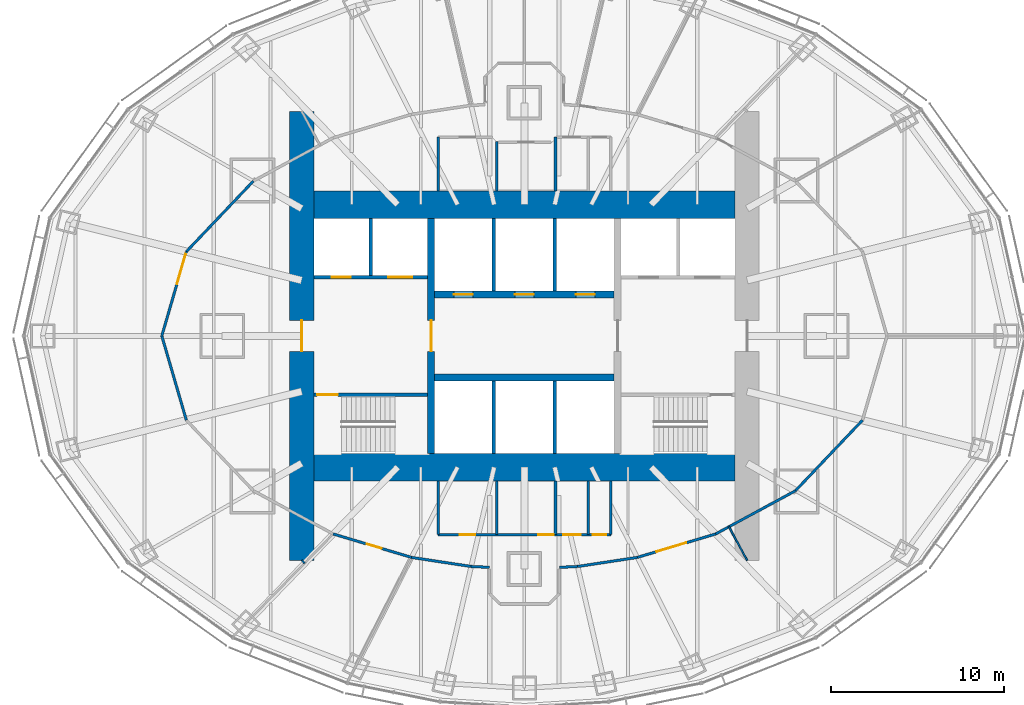
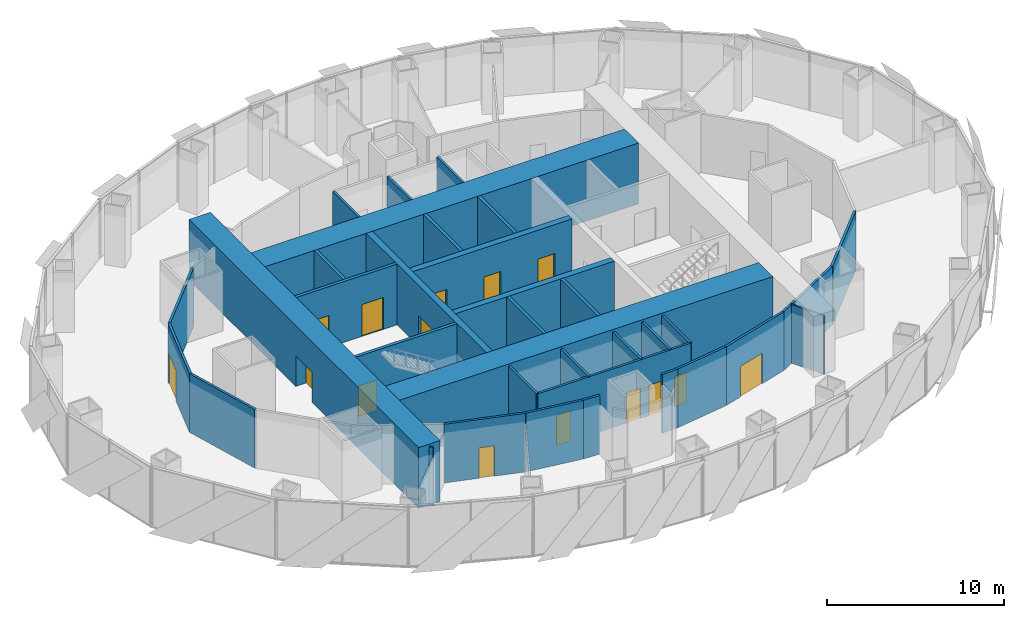
# One storey, part 11 of 18: 35 walls, 15 doors, 15 openings.
"""IFC4 building model written with IfcOpenShell, lengths in metres."""

from ifc_helpers import new_model, si_unit, direction, frame, frame_2d, origin, place, context, subcontext, project, spatial, rectangle, extrude, material, layer, layer_set, type_object, element, fill, save


model = new_model("IFC4")

# Units and contexts
model_context = context("Model", 3, precision=1e-05, world=origin(), true_north=direction((0.0, 1.0)))
body_context = subcontext(model_context, "Body", "Model", "MODEL_VIEW")
ifc_project = project(units=[si_unit("LENGTHUNIT", "METRE"), si_unit("AREAUNIT", "SQUARE_METRE"), si_unit("VOLUMEUNIT", "CUBIC_METRE"), si_unit("PLANEANGLEUNIT", "RADIAN"), si_unit("MASSUNIT", "GRAM", prefix="KILO")], contexts=[model_context])

# Site, building, storey
site_placement = place(None, origin())
site = spatial("IfcSite", under=ifc_project, at=site_placement, CompositionType="ELEMENT")
building_placement = place(site_placement, origin())
building = spatial("IfcBuilding", under=site, at=building_placement, Name="Lantaw Convention Tower", CompositionType="ELEMENT")
storey_placement = place(building_placement, frame((0.0, 0.0, 184.60009765625)))
storey = spatial("IfcBuildingStorey", under=building, at=storey_placement, Name="L43", CompositionType="ELEMENT", Elevation=184.60009765625)

# Wall, opening, door
ifc_material_1 = material(Name="Concrete C60/75", Category="concrete")
ifc_layer_1 = layer(ifc_material_1, 1.39990234375)
ifc_layer_set_1 = layer_set([ifc_layer_1], Name="Core wall 1400")
wall_type_1 = type_object("IfcWallType", Name="Core wall 1400", PredefinedType="SHEAR", material=ifc_layer_set_1)
wall_1_placement = place(storey_placement, frame((-12.89990234375, 13.0, 0.0), z_axis=(0.0, 0.0, 1.0), x_axis=(0.0, -1.0, 0.0)))
wall_1 = element("IfcWall", 1, at=wall_1_placement, inside=storey, type_object=wall_type_1, Name="Core wall W", PredefinedType="SHEAR", context=body_context, shape_type="SweptSolid", body=[
    extrude(rectangle(XDim=26.0, YDim=1.39990234375, at=frame_2d((13.0, 0.0))), origin(), (0.0, 0.0, 1.0), 4.199951171875),
])
opening_1_placement = place(wall_1_placement, frame((12.10009765625, 0.0, 0.0)))
opening_1 = element("IfcOpeningElement", 2, at=opening_1_placement, cuts=wall_1, Name="Opening L43.06", PredefinedType="OPENING", context=body_context, shape_type="SweptSolid", body=[
    extrude(rectangle(XDim=1.800048828125, YDim=2.10009765625, at=frame_2d((0.89990234375, 1.050048828125))), frame((0.0, 0.7099609375, 0.0), z_axis=(0.0, -1.0, 0.0), x_axis=(1.0, 0.0, 0.0)), (0.0, 0.0, 1.0), 1.419921875),
])
ifc_material_2 = material(Name="Steel, fire rated", Category="steel")
door_type_1 = type_object("IfcDoorType", Name="Lobby double door FD90", OperationType="DOUBLE_DOOR_DOUBLE_SWING", PredefinedType="DOOR", material=ifc_material_2)
door_1_placement = place(opening_1_placement, origin())
door_1 = element("IfcDoor", 3, at=door_1_placement, inside=storey, type_object=door_type_1, Name="Firefighting lobby door", OperationType="DOUBLE_DOOR_DOUBLE_SWING", OverallHeight=2.10009765625, OverallWidth=1.800048828125, PredefinedType="DOOR", context=body_context, shape_type="SweptSolid", body=[
    extrude(rectangle(XDim=1.800048828125, YDim=2.10009765625, at=frame_2d((0.89990234375, 1.050048828125))), frame((0.0, 0.02490234375, 0.0), z_axis=(0.0, -1.0, 0.0), x_axis=(1.0, 0.0, 0.0)), (0.0, 0.0, 1.0), 0.050048828125),
])
fill(opening_1, door_1)

# Walls
ifc_layer_2 = layer(ifc_material_1, 1.60009765625)
ifc_layer_set_2 = layer_set([ifc_layer_2], Name="Core wall 1600")
wall_type_2 = type_object("IfcWallType", Name="Core wall 1600", PredefinedType="SHEAR", material=ifc_layer_set_2)
for number, where, z_axis, x_axis, name in (
    (4, (-12.199951171875, -7.60009765625, 0.0), (0.0, 0.0, 1.0), (1.0, 0.0, 0.0), "Core wall S"),
    (5, (12.199951171875, 7.60009765625, 0.0), (0.0, 0.0, 1.0), (-1.0, 0.0, 0.0), "Core wall N"),
):
    element("IfcWall", number, at=place(storey_placement, frame(where, z_axis=z_axis, x_axis=x_axis)), inside=storey, type_object=wall_type_2, Name=name, PredefinedType="SHEAR", context=body_context, shape_type="SweptSolid", body=[
        extrude(rectangle(XDim=24.39990234375, YDim=1.60009765625, at=frame_2d((12.199951171875, 0.0))), origin(), (0.0, 0.0, 1.0), 4.199951171875),
    ])

# Wall, opening, door
ifc_layer_3 = layer(ifc_material_1, 0.199951171875)
ifc_layer_set_3 = layer_set([ifc_layer_3], Name="Core wall 200")
wall_type_3 = type_object("IfcWallType", Name="Core wall 200", PredefinedType="SHEAR", material=ifc_layer_set_3)
wall_2_placement = place(storey_placement, frame((-5.60009765625, -3.39990234375, 0.0), z_axis=(0.0, 0.0, 1.0), x_axis=(-1.0, 0.0, 0.0)))
wall_2 = element("IfcWall", 6, at=wall_2_placement, inside=storey, type_object=wall_type_3, Name="Core wall WS", PredefinedType="SHEAR", context=body_context, shape_type="SweptSolid", body=[
    extrude(rectangle(XDim=6.599853515625, YDim=0.199951171875, at=frame_2d((3.2998046875, 0.0))), origin(), (0.0, 0.0, 1.0), 4.199951171875),
])
opening_2_placement = place(wall_2_placement, frame((5.199951171875, 0.0, 0.0)))
opening_2 = element("IfcOpeningElement", 7, at=opening_2_placement, cuts=wall_2, Name="Opening L43.04", PredefinedType="OPENING", context=body_context, shape_type="SweptSolid", body=[
    extrude(rectangle(XDim=1.199951171875, YDim=2.10009765625, at=frame_2d((0.60009765625, 1.050048828125))), frame((0.0, 0.10986328125, 0.0), z_axis=(0.0, -1.0, 0.0), x_axis=(1.0, 0.0, 0.0)), (0.0, 0.0, 1.0), 0.219970703125),
])
door_type_2 = type_object("IfcDoorType", Name="Stair door FD90", OperationType="SINGLE_SWING_RIGHT", PredefinedType="DOOR", material=ifc_material_2)
door_2_placement = place(opening_2_placement, origin())
door_2 = element("IfcDoor", 8, at=door_2_placement, inside=storey, type_object=door_type_2, Name="Exit stair door", OperationType="SINGLE_SWING_RIGHT", OverallHeight=2.10009765625, OverallWidth=1.199951171875, PredefinedType="DOOR", context=body_context, shape_type="SweptSolid", body=[
    extrude(rectangle(XDim=1.199951171875, YDim=2.10009765625, at=frame_2d((0.60009765625, 1.050048828125))), frame((0.0, 0.02490234375, 0.0), z_axis=(0.0, -1.0, 0.0), x_axis=(1.0, 0.0, 0.0)), (0.0, 0.0, 1.0), 0.050048828125),
])
fill(opening_2, door_2)

ifc_layer_4 = layer(ifc_material_1, 0.39990234375)
ifc_layer_set_4 = layer_set([ifc_layer_4], Name="Core wall 400")
wall_type_4 = type_object("IfcWallType", Name="Core wall 400", PredefinedType="SHEAR", material=ifc_layer_set_4)
wall_3_placement = place(storey_placement, frame((-5.39990234375, 6.800048828125, 0.0), z_axis=(0.0, 0.0, 1.0), x_axis=(0.0, -1.0, 0.0)))
wall_3 = element("IfcWall", 9, at=wall_3_placement, inside=storey, type_object=wall_type_4, Name="Core wall XW", PredefinedType="SHEAR", context=body_context, shape_type="SweptSolid", body=[
    extrude(rectangle(XDim=13.60009765625, YDim=0.39990234375, at=frame_2d((6.800048828125, 0.0))), origin(), (0.0, 0.0, 1.0), 4.199951171875),
])
opening_3_placement = place(wall_3_placement, frame((5.89990234375, 0.0, 0.0)))
opening_3 = element("IfcOpeningElement", 10, at=opening_3_placement, cuts=wall_3, Name="Opening L43.02", PredefinedType="OPENING", context=body_context, shape_type="SweptSolid", body=[
    extrude(rectangle(XDim=1.800048828125, YDim=2.10009765625, at=frame_2d((0.89990234375, 1.050048828125))), frame((0.0, 0.2099609375, 0.0), z_axis=(0.0, -1.0, 0.0), x_axis=(1.0, 0.0, 0.0)), (0.0, 0.0, 1.0), 0.419921875),
])
door_3_placement = place(opening_3_placement, origin())
door_3 = element("IfcDoor", 11, at=door_3_placement, inside=storey, type_object=door_type_1, Name="Lift lobby door", OperationType="DOUBLE_DOOR_DOUBLE_SWING", OverallHeight=2.10009765625, OverallWidth=1.800048828125, PredefinedType="DOOR", context=body_context, shape_type="SweptSolid", body=[
    extrude(rectangle(XDim=1.800048828125, YDim=2.10009765625, at=frame_2d((0.89990234375, 1.050048828125))), frame((0.0, 0.02490234375, 0.0), z_axis=(0.0, -1.0, 0.0), x_axis=(1.0, 0.0, 0.0)), (0.0, 0.0, 1.0), 0.050048828125),
])
fill(opening_3, door_3)

# Wall
wall_4_placement = place(storey_placement, frame((-5.199951171875, -2.39990234375, 0.0), z_axis=(0.0, 0.0, 1.0), x_axis=(1.0, 0.0, 0.0)))
element("IfcWall", 12, at=wall_4_placement, inside=storey, type_object=wall_type_4, Name="Core wall BS", PredefinedType="SHEAR", context=body_context, shape_type="SweptSolid", body=[
    extrude(rectangle(XDim=10.39990234375, YDim=0.39990234375, at=frame_2d((5.199951171875, 0.0))), origin(), (0.0, 0.0, 1.0), 4.199951171875),
])

# Wall, openings, doors
wall_5_placement = place(storey_placement, frame((5.199951171875, 2.39990234375, 0.0), z_axis=(0.0, 0.0, 1.0), x_axis=(-1.0, 0.0, 0.0)))
wall_5 = element("IfcWall", 13, at=wall_5_placement, inside=storey, type_object=wall_type_4, Name="Core wall BN", PredefinedType="SHEAR", context=body_context, shape_type="SweptSolid", body=[
    extrude(rectangle(XDim=10.39990234375, YDim=0.39990234375, at=frame_2d((5.199951171875, 0.0))), origin(), (0.0, 0.0, 1.0), 4.199951171875),
])
opening_4_placement = place(wall_5_placement, frame((8.183349609375, 0.0, 0.0)))
opening_4 = element("IfcOpeningElement", 14, at=opening_4_placement, cuts=wall_5, Name="Opening L43.07", PredefinedType="OPENING", context=body_context, shape_type="SweptSolid", body=[
    extrude(rectangle(XDim=1.10009765625, YDim=2.199951171875, at=frame_2d((0.550048828125, 1.10009765625))), frame((0.0, 0.2099609375, 0.0), z_axis=(0.0, -1.0, 0.0), x_axis=(1.0, 0.0, 0.0)), (0.0, 0.0, 1.0), 0.419921875),
])
opening_5_placement = place(wall_5_placement, frame((4.64990234375, 0.0, 0.0)))
opening_5 = element("IfcOpeningElement", 15, at=opening_5_placement, cuts=wall_5, Name="Opening L43.08", PredefinedType="OPENING", context=body_context, shape_type="SweptSolid", body=[
    extrude(rectangle(XDim=1.10009765625, YDim=2.199951171875, at=frame_2d((0.550048828125, 1.10009765625))), frame((0.0, 0.2099609375, 0.0), z_axis=(0.0, -1.0, 0.0), x_axis=(1.0, 0.0, 0.0)), (0.0, 0.0, 1.0), 0.419921875),
])
opening_6_placement = place(wall_5_placement, frame((1.11669921875, 0.0, 0.0)))
opening_6 = element("IfcOpeningElement", 16, at=opening_6_placement, cuts=wall_5, Name="Opening L43.09", PredefinedType="OPENING", context=body_context, shape_type="SweptSolid", body=[
    extrude(rectangle(XDim=1.10009765625, YDim=2.199951171875, at=frame_2d((0.550048828125, 1.10009765625))), frame((0.0, 0.2099609375, 0.0), z_axis=(0.0, -1.0, 0.0), x_axis=(1.0, 0.0, 0.0)), (0.0, 0.0, 1.0), 0.419921875),
])
ifc_material_3 = material(Name="Stainless steel", Category="steel")
door_type_3 = type_object("IfcDoorType", Name="Lift landing door 1100", OperationType="DOUBLE_DOOR_SLIDING", PredefinedType="DOOR", material=ifc_material_3)
door_4_placement = place(opening_4_placement, origin())
door_4 = element("IfcDoor", 17, at=door_4_placement, inside=storey, type_object=door_type_3, Name="Lift landing door N1", OperationType="DOUBLE_DOOR_SLIDING", OverallHeight=2.199951171875, OverallWidth=1.10009765625, PredefinedType="DOOR", context=body_context, shape_type="SweptSolid", body=[
    extrude(rectangle(XDim=1.10009765625, YDim=2.199951171875, at=frame_2d((0.550048828125, 1.10009765625))), frame((0.0, 0.02490234375, 0.0), z_axis=(0.0, -1.0, 0.0), x_axis=(1.0, 0.0, 0.0)), (0.0, 0.0, 1.0), 0.050048828125),
])
fill(opening_4, door_4)
door_5_placement = place(opening_5_placement, origin())
door_5 = element("IfcDoor", 18, at=door_5_placement, inside=storey, type_object=door_type_3, Name="Lift landing door N2", OperationType="DOUBLE_DOOR_SLIDING", OverallHeight=2.199951171875, OverallWidth=1.10009765625, PredefinedType="DOOR", context=body_context, shape_type="SweptSolid", body=[
    extrude(rectangle(XDim=1.10009765625, YDim=2.199951171875, at=frame_2d((0.550048828125, 1.10009765625))), frame((0.0, 0.02490234375, 0.0), z_axis=(0.0, -1.0, 0.0), x_axis=(1.0, 0.0, 0.0)), (0.0, 0.0, 1.0), 0.050048828125),
])
fill(opening_5, door_5)
door_6_placement = place(opening_6_placement, origin())
door_6 = element("IfcDoor", 19, at=door_6_placement, inside=storey, type_object=door_type_3, Name="Lift landing door N3", OperationType="DOUBLE_DOOR_SLIDING", OverallHeight=2.199951171875, OverallWidth=1.10009765625, PredefinedType="DOOR", context=body_context, shape_type="SweptSolid", body=[
    extrude(rectangle(XDim=1.10009765625, YDim=2.199951171875, at=frame_2d((0.550048828125, 1.10009765625))), frame((0.0, 0.02490234375, 0.0), z_axis=(0.0, -1.0, 0.0), x_axis=(1.0, 0.0, 0.0)), (0.0, 0.0, 1.0), 0.050048828125),
])
fill(opening_6, door_6)

# Wall
ifc_material_4 = material(Name="Gypsum board on steel studs, fire rated", Category="steel")
ifc_layer_5 = layer(ifc_material_4, 0.14990234375)
ifc_layer_set_5 = layer_set([ifc_layer_5], Name="Corridor wall 150 EI 60")
wall_type_5 = type_object("IfcWallType", Name="Corridor wall 150 EI 60", PredefinedType="PARTITIONING", material=ifc_layer_set_5)
wall_6_placement = place(storey_placement, frame((-15.695556640625, 8.968994140625, 0.0), z_axis=(0.0, 0.0, 1.0), x_axis=(-0.688797257101, -0.72495402517, 0.0)))
element("IfcWall", 20, at=wall_6_placement, inside=storey, type_object=wall_type_5, Name="Corridor wall 150", PredefinedType="PARTITIONING", context=body_context, shape_type="SweptSolid", body=[
    extrude(rectangle(XDim=5.63818359375, YDim=0.14990234375, at=frame_2d((2.819091796875, 0.0))), origin(), (0.0, 0.0, 1.0), 4.0498046875),
])

# Wall, opening, door
wall_7_placement = place(storey_placement, frame((-19.5791015625, 4.881591796875, 0.0), z_axis=(0.0, 0.0, 1.0), x_axis=(-0.279474430869, -0.960153134917, 0.0)))
wall_7 = element("IfcWall", 21, at=wall_7_placement, inside=storey, type_object=wall_type_5, Name="Corridor wall 150", PredefinedType="PARTITIONING", context=body_context, shape_type="SweptSolid", body=[
    extrude(rectangle(XDim=5.084228515625, YDim=0.14990234375, at=frame_2d((2.5419921875, 0.0))), origin(), (0.0, 0.0, 1.0), 4.0498046875),
])
opening_7_placement = place(wall_7_placement, frame((0.14990234375, 0.0, 0.0)))
opening_7 = element("IfcOpeningElement", 22, at=opening_7_placement, cuts=wall_7, Name="Opening L43.28", PredefinedType="OPENING", context=body_context, shape_type="SweptSolid", body=[
    extrude(rectangle(XDim=1.800048828125, YDim=2.10009765625, at=frame_2d((0.89990234375, 1.050048828125))), frame((0.0, 0.0849609375, 0.0), z_axis=(0.0, -1.0, 0.0), x_axis=(1.0, 0.0, 0.0)), (0.0, 0.0, 1.0), 0.169921875),
])
door_type_4 = type_object("IfcDoorType", Name="Office double door 1800 FD30", OperationType="DOUBLE_DOOR_DOUBLE_SWING", PredefinedType="DOOR", material=ifc_material_2)
door_7_placement = place(opening_7_placement, origin())
door_7 = element("IfcDoor", 23, at=door_7_placement, inside=storey, type_object=door_type_4, Name="Open office door", OperationType="DOUBLE_DOOR_DOUBLE_SWING", OverallHeight=2.10009765625, OverallWidth=1.800048828125, PredefinedType="DOOR", context=body_context, shape_type="SweptSolid", body=[
    extrude(rectangle(XDim=1.800048828125, YDim=2.10009765625, at=frame_2d((0.89990234375, 1.050048828125))), frame((0.0, 0.02490234375, 0.0), z_axis=(0.0, -1.0, 0.0), x_axis=(1.0, 0.0, 0.0)), (0.0, 0.0, 1.0), 0.050048828125),
])
fill(opening_7, door_7)

# Wall
wall_8_placement = place(storey_placement, frame((-21.0, 0.0, 0.0), z_axis=(0.0, 0.0, 1.0), x_axis=(0.279474430869, -0.960153134917, 0.0)))
element("IfcWall", 24, at=wall_8_placement, inside=storey, type_object=wall_type_5, Name="Corridor wall 150", PredefinedType="PARTITIONING", context=body_context, shape_type="SweptSolid", body=[
    extrude(rectangle(XDim=5.084228515625, YDim=0.14990234375, at=frame_2d((2.5419921875, 0.0))), origin(), (0.0, 0.0, 1.0), 4.0498046875),
])

# Wall, opening, door
wall_9_placement = place(storey_placement, frame((-11.075927734375, -11.469482421875, 0.0), z_axis=(0.0, 0.0, 1.0), x_axis=(0.957933992798, -0.286988615527, 0.0)))
wall_9 = element("IfcWall", 25, at=wall_9_placement, inside=storey, type_object=wall_type_5, Name="Corridor wall 150", PredefinedType="PARTITIONING", context=body_context, shape_type="SweptSolid", body=[
    extrude(rectangle(XDim=4.73828125, YDim=0.14990234375, at=frame_2d((2.369140625, 0.0))), origin(), (0.0, 0.0, 1.0), 4.0498046875),
])
opening_8_placement = place(wall_9_placement, frame((2.023193359375, 0.0, 0.0)))
opening_8 = element("IfcOpeningElement", 26, at=opening_8_placement, cuts=wall_9, Name="Opening L43.29", PredefinedType="OPENING", context=body_context, shape_type="SweptSolid", body=[
    extrude(rectangle(XDim=0.89990234375, YDim=2.10009765625, at=frame_2d((0.449951171875, 1.050048828125))), frame((0.0, 0.0849609375, 0.0), z_axis=(0.0, -1.0, 0.0), x_axis=(1.0, 0.0, 0.0)), (0.0, 0.0, 1.0), 0.169921875),
])
door_type_5 = type_object("IfcDoorType", Name="Office door 900 FD30", OperationType="SINGLE_SWING_LEFT", PredefinedType="DOOR", material=ifc_material_2)
door_8_placement = place(opening_8_placement, origin())
door_8 = element("IfcDoor", 27, at=door_8_placement, inside=storey, type_object=door_type_5, Name="Quiet room door", OperationType="SINGLE_SWING_LEFT", OverallHeight=2.10009765625, OverallWidth=0.89990234375, PredefinedType="DOOR", context=body_context, shape_type="SweptSolid", body=[
    extrude(rectangle(XDim=0.89990234375, YDim=2.10009765625, at=frame_2d((0.449951171875, 1.050048828125))), frame((0.0, 0.02490234375, 0.0), z_axis=(0.0, -1.0, 0.0), x_axis=(1.0, 0.0, 0.0)), (0.0, 0.0, 1.0), 0.050048828125),
])
fill(opening_8, door_8)

# Walls
for number, where, z_axis, x_axis, name in (
    (28, (-6.536865234375, -12.829345703125, 0.0), (0.0, 0.0, 1.0), (0.988668719464, -0.150113833987, 0.0), "Corridor wall 150"),
    (29, (3.0830078125, -13.353759765625, 0.0), (0.0, 0.0, 1.0), (0.988668719464, 0.150113833987, 0.0), "Corridor wall 150"),
):
    element("IfcWall", number, at=place(storey_placement, frame(where, z_axis=z_axis, x_axis=x_axis)), inside=storey, type_object=wall_type_5, Name=name, PredefinedType="PARTITIONING", context=body_context, shape_type="SweptSolid", body=[
        extrude(rectangle(XDim=3.493408203125, YDim=0.14990234375, at=frame_2d((1.74658203125, 0.0))), origin(), (0.0, 0.0, 1.0), 4.0498046875),
    ])

# Wall, opening, door
wall_10_placement = place(storey_placement, frame((6.536865234375, -12.829345703125, 0.0), z_axis=(0.0, 0.0, 1.0), x_axis=(0.957933992798, 0.286988615527, 0.0)))
wall_10 = element("IfcWall", 30, at=wall_10_placement, inside=storey, type_object=wall_type_5, Name="Corridor wall 150", PredefinedType="PARTITIONING", context=body_context, shape_type="SweptSolid", body=[
    extrude(rectangle(XDim=4.73828125, YDim=0.14990234375, at=frame_2d((2.369140625, 0.0))), origin(), (0.0, 0.0, 1.0), 4.0498046875),
])
opening_9_placement = place(wall_10_placement, frame((1.164794921875, 0.0, 0.0)))
opening_9 = element("IfcOpeningElement", 31, at=opening_9_placement, cuts=wall_10, Name="Opening L43.30", PredefinedType="OPENING", context=body_context, shape_type="SweptSolid", body=[
    extrude(rectangle(XDim=1.800048828125, YDim=2.10009765625, at=frame_2d((0.89990234375, 1.050048828125))), frame((0.0, 0.0849609375, 0.0), z_axis=(0.0, -1.0, 0.0), x_axis=(1.0, 0.0, 0.0)), (0.0, 0.0, 1.0), 0.169921875),
])
door_9_placement = place(opening_9_placement, origin())
door_9 = element("IfcDoor", 32, at=door_9_placement, inside=storey, type_object=door_type_4, Name="Open office door", OperationType="DOUBLE_DOOR_DOUBLE_SWING", OverallHeight=2.10009765625, OverallWidth=1.800048828125, PredefinedType="DOOR", context=body_context, shape_type="SweptSolid", body=[
    extrude(rectangle(XDim=1.800048828125, YDim=2.10009765625, at=frame_2d((0.89990234375, 1.050048828125))), frame((0.0, 0.02490234375, 0.0), z_axis=(0.0, -1.0, 0.0), x_axis=(1.0, 0.0, 0.0)), (0.0, 0.0, 1.0), 0.050048828125),
])
fill(opening_9, door_9)

# Walls
wall_11_placement = place(storey_placement, frame((11.075927734375, -11.469482421875, 0.0), z_axis=(0.0, 0.0, 1.0), x_axis=(0.879436285334, 0.476016617397, 0.0)))
element("IfcWall", 33, at=wall_11_placement, inside=storey, type_object=wall_type_5, Name="Corridor wall 150", PredefinedType="PARTITIONING", context=body_context, shape_type="SweptSolid", body=[
    extrude(rectangle(XDim=5.2529296875, YDim=0.14990234375, at=frame_2d((2.62646484375, 0.0))), origin(), (0.0, 0.0, 1.0), 4.0498046875),
])
wall_12_placement = place(storey_placement, frame((15.695556640625, -8.968994140625, 0.0), z_axis=(0.0, 0.0, 1.0), x_axis=(0.688797257101, 0.72495402517, 0.0)))
element("IfcWall", 34, at=wall_12_placement, inside=storey, type_object=wall_type_5, Name="Corridor wall 150", PredefinedType="PARTITIONING", context=body_context, shape_type="SweptSolid", body=[
    extrude(rectangle(XDim=5.63818359375, YDim=0.14990234375, at=frame_2d((2.819091796875, 0.0))), origin(), (0.0, 0.0, 1.0), 4.0498046875),
])
for number, where, z_axis, x_axis, name in (
    (35, (-3.0830078125, -13.353759765625, 0.0), (0.0, 0.0, 1.0), (0.998872870491, -0.047465657018, 0.0), "Corridor wall 150"),
    (36, (2.034912109375, -13.403564453125, 0.0), (0.0, 0.0, 1.0), (0.998872870491, 0.047465657018, 0.0), "Corridor wall 150"),
):
    element("IfcWall", number, at=place(storey_placement, frame(where, z_axis=z_axis, x_axis=x_axis)), inside=storey, type_object=wall_type_5, Name=name, PredefinedType="PARTITIONING", context=body_context, shape_type="SweptSolid", body=[
        extrude(rectangle(XDim=1.04931640625, YDim=0.14990234375, at=frame_2d((0.524658203125, 0.0))), origin(), (0.0, 0.0, 1.0), 4.0498046875),
    ])
ifc_material_5 = material(Name="Gypsum board on steel studs, acoustic", Category="steel")
ifc_layer_6 = layer(ifc_material_5, 0.10009765625)
ifc_layer_set_6 = layer_set([ifc_layer_6], Name="Office partition 100")
wall_type_6 = type_object("IfcWallType", Name="Office partition 100", PredefinedType="PARTITIONING", material=ifc_layer_set_6)
wall_13_placement = place(storey_placement, frame((12.89990234375, -13.0, 0.0), z_axis=(0.0, 0.0, 1.0), x_axis=(-0.475998959765, 0.879445842734, 0.0)))
element("IfcWall", 37, at=wall_13_placement, inside=storey, type_object=wall_type_6, Name="Office partition 100", PredefinedType="PARTITIONING", context=body_context, shape_type="SweptSolid", body=[
    extrude(rectangle(XDim=2.214111328125, YDim=0.10009765625, at=frame_2d((1.10693359375, 0.0))), origin(), (0.0, 0.0, 1.0), 4.0498046875),
])
wall_14_placement = place(storey_placement, frame((-12.89990234375, -13.0, 0.0), z_axis=(0.0, 0.0, 1.0), x_axis=(0.714845300066, -0.699282630253, 0.0)))
element("IfcWall", 38, at=wall_14_placement, inside=storey, type_object=wall_type_6, Name="Office partition 100", PredefinedType="PARTITIONING", context=body_context, shape_type="SweptSolid", body=[
    extrude(rectangle(XDim=0.2353515625, YDim=0.10009765625, at=frame_2d((0.11767578125, 0.0))), origin(), (0.0, 0.0, 1.0), 4.0498046875),
])
ifc_material_6 = material(Name="Concrete blockwork, fire rated", Category="masonry")
ifc_layer_7 = layer(ifc_material_6, 0.199951171875)
ifc_layer_set_7 = layer_set([ifc_layer_7], Name="Shaft wall 200")
wall_type_7 = type_object("IfcWallType", Name="Shaft wall 200", PredefinedType="SOLIDWALL", material=ifc_layer_set_7)
for number, where, z_axis, x_axis, name in (
    (39, (-1.7666015625, 2.60009765625, 0.0), (0.0, 0.0, 1.0), (0.0, 1.0, 0.0), "Shaft wall DN1"),
    (40, (1.7666015625, 2.60009765625, 0.0), (0.0, 0.0, 1.0), (0.0, 1.0, 0.0), "Shaft wall DN2"),
):
    element("IfcWall", number, at=place(storey_placement, frame(where, z_axis=z_axis, x_axis=x_axis)), inside=storey, type_object=wall_type_7, Name=name, PredefinedType="SOLIDWALL", context=body_context, shape_type="SweptSolid", body=[
        extrude(rectangle(XDim=4.199951171875, YDim=0.199951171875, at=frame_2d((2.10009765625, 0.0))), origin(), (0.0, 0.0, 1.0), 4.199951171875),
    ])

# Wall, openings, doors
wall_15_placement = place(storey_placement, frame((-12.199951171875, 3.39990234375, 0.0), z_axis=(0.0, 0.0, 1.0), x_axis=(1.0, 0.0, 0.0)))
wall_15 = element("IfcWall", 41, at=wall_15_placement, inside=storey, type_object=wall_type_7, Name="Shaft wall WN", PredefinedType="SOLIDWALL", context=body_context, shape_type="SweptSolid", body=[
    extrude(rectangle(XDim=6.599853515625, YDim=0.199951171875, at=frame_2d((3.2998046875, 0.0))), origin(), (0.0, 0.0, 1.0), 4.199951171875),
])
opening_10_placement = place(wall_15_placement, frame((1.050048828125, 0.0, 0.0)))
opening_10 = element("IfcOpeningElement", 42, at=opening_10_placement, cuts=wall_15, Name="Opening L43.10", PredefinedType="OPENING", context=body_context, shape_type="SweptSolid", body=[
    extrude(rectangle(XDim=1.10009765625, YDim=2.199951171875, at=frame_2d((0.550048828125, 1.10009765625))), frame((0.0, 0.10986328125, 0.0), z_axis=(0.0, -1.0, 0.0), x_axis=(1.0, 0.0, 0.0)), (0.0, 0.0, 1.0), 0.219970703125),
])
opening_11_placement = place(wall_15_placement, frame((4.300048828125, 0.0, 0.0)))
opening_11 = element("IfcOpeningElement", 43, at=opening_11_placement, cuts=wall_15, Name="Opening L43.11", PredefinedType="OPENING", context=body_context, shape_type="SweptSolid", body=[
    extrude(rectangle(XDim=1.39990234375, YDim=2.199951171875, at=frame_2d((0.699951171875, 1.10009765625))), frame((0.0, 0.10986328125, 0.0), z_axis=(0.0, -1.0, 0.0), x_axis=(1.0, 0.0, 0.0)), (0.0, 0.0, 1.0), 0.219970703125),
])
door_10_placement = place(opening_10_placement, origin())
door_10 = element("IfcDoor", 44, at=door_10_placement, inside=storey, type_object=door_type_3, Name="Lift landing door FF1", OperationType="DOUBLE_DOOR_SLIDING", OverallHeight=2.199951171875, OverallWidth=1.10009765625, PredefinedType="DOOR", context=body_context, shape_type="SweptSolid", body=[
    extrude(rectangle(XDim=1.10009765625, YDim=2.199951171875, at=frame_2d((0.550048828125, 1.10009765625))), frame((0.0, 0.02490234375, 0.0), z_axis=(0.0, -1.0, 0.0), x_axis=(1.0, 0.0, 0.0)), (0.0, 0.0, 1.0), 0.050048828125),
])
fill(opening_10, door_10)
door_type_6 = type_object("IfcDoorType", Name="Lift landing door 1400", OperationType="DOUBLE_DOOR_SLIDING", PredefinedType="DOOR", material=ifc_material_3)
door_11_placement = place(opening_11_placement, origin())
door_11 = element("IfcDoor", 45, at=door_11_placement, inside=storey, type_object=door_type_6, Name="Lift landing door SV1", OperationType="DOUBLE_DOOR_SLIDING", OverallHeight=2.199951171875, OverallWidth=1.39990234375, PredefinedType="DOOR", context=body_context, shape_type="SweptSolid", body=[
    extrude(rectangle(XDim=1.39990234375, YDim=2.199951171875, at=frame_2d((0.699951171875, 1.10009765625))), frame((0.0, 0.02490234375, 0.0), z_axis=(0.0, -1.0, 0.0), x_axis=(1.0, 0.0, 0.0)), (0.0, 0.0, 1.0), 0.050048828125),
])
fill(opening_11, door_11)

# Walls
wall_16_placement = place(storey_placement, frame((-8.89990234375, 3.5, 0.0), z_axis=(0.0, 0.0, 1.0), x_axis=(0.0, 1.0, 0.0)))
element("IfcWall", 46, at=wall_16_placement, inside=storey, type_object=wall_type_7, Name="Shaft wall WD", PredefinedType="SOLIDWALL", context=body_context, shape_type="SweptSolid", body=[
    extrude(rectangle(XDim=3.300048828125, YDim=0.199951171875, at=frame_2d((1.64990234375, 0.0))), origin(), (0.0, 0.0, 1.0), 4.199951171875),
])
ifc_layer_8 = layer(ifc_material_6, 0.199951171875)
ifc_layer_set_8 = layer_set([ifc_layer_8], Name="Shaft wall 200 load-bearing")
wall_type_8 = type_object("IfcWallType", Name="Shaft wall 200 load-bearing", PredefinedType="SOLIDWALL", material=ifc_layer_set_8)
for number, where, z_axis, x_axis, name in (
    (47, (-1.7666015625, -2.60009765625, 0.0), (0.0, 0.0, 1.0), (0.0, -1.0, 0.0), "Shaft wall DS1"),
    (48, (1.7666015625, -2.60009765625, 0.0), (0.0, 0.0, 1.0), (0.0, -1.0, 0.0), "Shaft wall DS2"),
):
    element("IfcWall", number, at=place(storey_placement, frame(where, z_axis=z_axis, x_axis=x_axis)), inside=storey, type_object=wall_type_8, Name=name, PredefinedType="SOLIDWALL", context=body_context, shape_type="SweptSolid", body=[
        extrude(rectangle(XDim=4.199951171875, YDim=0.199951171875, at=frame_2d((2.10009765625, 0.0))), origin(), (0.0, 0.0, 1.0), 4.199951171875),
    ])
ifc_material_7 = material(Name="Concrete blockwork", Category="masonry")
ifc_layer_9 = layer(ifc_material_7, 0.14990234375)
ifc_layer_set_9 = layer_set([ifc_layer_9], Name="WC wall 150")
wall_type_9 = type_object("IfcWallType", Name="WC wall 150", PredefinedType="SOLIDWALL", material=ifc_layer_set_9)
for number, where, z_axis, x_axis, name in (
    (49, (-5.0, 8.39990234375, 0.0), (0.0, 0.0, 1.0), (0.0, 1.0, 0.0), "WC wall 150"),
    (50, (1.800048828125, 8.39990234375, 0.0), (0.0, 0.0, 1.0), (0.0, 1.0, 0.0), "WC wall 150"),
):
    element("IfcWall", number, at=place(storey_placement, frame(where, z_axis=z_axis, x_axis=x_axis)), inside=storey, type_object=wall_type_9, Name=name, PredefinedType="SOLIDWALL", context=body_context, shape_type="SweptSolid", body=[
        extrude(rectangle(XDim=3.112060546875, YDim=0.14990234375, at=frame_2d((1.55615234375, 0.0))), origin(), (0.0, 0.0, 1.0), 4.0498046875),
    ])

# Wall, openings, doors
wall_17_placement = place(storey_placement, frame((-5.0, -11.511962890625, 0.0), z_axis=(0.0, 0.0, 1.0), x_axis=(1.0, 0.0, 0.0)))
wall_17 = element("IfcWall", 51, at=wall_17_placement, inside=storey, type_object=wall_type_9, Name="WC wall 150", PredefinedType="SOLIDWALL", context=body_context, shape_type="SweptSolid", body=[
    extrude(rectangle(XDim=10.0, YDim=0.14990234375, at=frame_2d((5.0, 0.0))), origin(), (0.0, 0.0, 1.0), 4.0498046875),
])
opening_12_placement = place(wall_17_placement, frame((1.25, 0.0, 0.0)))
opening_12 = element("IfcOpeningElement", 52, at=opening_12_placement, cuts=wall_17, Name="Opening L43.18", PredefinedType="OPENING", context=body_context, shape_type="SweptSolid", body=[
    extrude(rectangle(XDim=0.89990234375, YDim=2.10009765625, at=frame_2d((0.449951171875, 1.050048828125))), frame((0.0, 0.0849609375, 0.0), z_axis=(0.0, -1.0, 0.0), x_axis=(1.0, 0.0, 0.0)), (0.0, 0.0, 1.0), 0.169921875),
])
opening_13_placement = place(wall_17_placement, frame((5.800048828125, 0.0, 0.0)))
opening_13 = element("IfcOpeningElement", 53, at=opening_13_placement, cuts=wall_17, Name="Opening L43.19", PredefinedType="OPENING", context=body_context, shape_type="SweptSolid", body=[
    extrude(rectangle(XDim=0.89990234375, YDim=2.10009765625, at=frame_2d((0.449951171875, 1.050048828125))), frame((0.0, 0.0849609375, 0.0), z_axis=(0.0, -1.0, 0.0), x_axis=(1.0, 0.0, 0.0)), (0.0, 0.0, 1.0), 0.169921875),
])
opening_14_placement = place(wall_17_placement, frame((7.25, 0.0, 0.0)))
opening_14 = element("IfcOpeningElement", 54, at=opening_14_placement, cuts=wall_17, Name="Opening L43.20", PredefinedType="OPENING", context=body_context, shape_type="SweptSolid", body=[
    extrude(rectangle(XDim=1.0, YDim=2.10009765625, at=frame_2d((0.5, 1.050048828125))), frame((0.0, 0.0849609375, 0.0), z_axis=(0.0, -1.0, 0.0), x_axis=(1.0, 0.0, 0.0)), (0.0, 0.0, 1.0), 0.169921875),
])
opening_15_placement = place(wall_17_placement, frame((8.949951171875, 0.0, 0.0)))
opening_15 = element("IfcOpeningElement", 55, at=opening_15_placement, cuts=wall_17, Name="Opening L43.21", PredefinedType="OPENING", context=body_context, shape_type="SweptSolid", body=[
    extrude(rectangle(XDim=0.800048828125, YDim=2.10009765625, at=frame_2d((0.39990234375, 1.050048828125))), frame((0.0, 0.0849609375, 0.0), z_axis=(0.0, -1.0, 0.0), x_axis=(1.0, 0.0, 0.0)), (0.0, 0.0, 1.0), 0.169921875),
])
ifc_material_8 = material(Name="Timber", Category="wood")
door_type_7 = type_object("IfcDoorType", Name="Accessible WC door 1000", OperationType="SINGLE_SWING_LEFT", PredefinedType="DOOR", material=ifc_material_8)
door_12_placement = place(opening_14_placement, origin())
door_12 = element("IfcDoor", 56, at=door_12_placement, inside=storey, type_object=door_type_7, Name="Accessible WC door", OperationType="SINGLE_SWING_LEFT", OverallHeight=2.10009765625, OverallWidth=1.0, PredefinedType="DOOR", context=body_context, shape_type="SweptSolid", body=[
    extrude(rectangle(XDim=1.0, YDim=2.10009765625, at=frame_2d((0.5, 1.050048828125))), frame((0.0, 0.02490234375, 0.0), z_axis=(0.0, -1.0, 0.0), x_axis=(1.0, 0.0, 0.0)), (0.0, 0.0, 1.0), 0.050048828125),
])
fill(opening_14, door_12)
door_type_8 = type_object("IfcDoorType", Name="WC door 800", OperationType="SINGLE_SWING_LEFT", PredefinedType="DOOR", material=ifc_material_8)
door_13_placement = place(opening_15_placement, origin())
door_13 = element("IfcDoor", 57, at=door_13_placement, inside=storey, type_object=door_type_8, Name="Pantry door", OperationType="SINGLE_SWING_LEFT", OverallHeight=2.10009765625, OverallWidth=0.800048828125, PredefinedType="DOOR", context=body_context, shape_type="SweptSolid", body=[
    extrude(rectangle(XDim=0.800048828125, YDim=2.10009765625, at=frame_2d((0.39990234375, 1.050048828125))), frame((0.0, 0.02490234375, 0.0), z_axis=(0.0, -1.0, 0.0), x_axis=(1.0, 0.0, 0.0)), (0.0, 0.0, 1.0), 0.050048828125),
])
fill(opening_15, door_13)
door_type_9 = type_object("IfcDoorType", Name="WC door 900", OperationType="SINGLE_SWING_LEFT", PredefinedType="DOOR", material=ifc_material_8)
door_14_placement = place(opening_12_placement, origin())
door_14 = element("IfcDoor", 58, at=door_14_placement, inside=storey, type_object=door_type_9, Name="Female WC door", OperationType="SINGLE_SWING_LEFT", OverallHeight=2.10009765625, OverallWidth=0.89990234375, PredefinedType="DOOR", context=body_context, shape_type="SweptSolid", body=[
    extrude(rectangle(XDim=0.89990234375, YDim=2.10009765625, at=frame_2d((0.449951171875, 1.050048828125))), frame((0.0, 0.02490234375, 0.0), z_axis=(0.0, -1.0, 0.0), x_axis=(1.0, 0.0, 0.0)), (0.0, 0.0, 1.0), 0.050048828125),
])
fill(opening_12, door_14)
door_15_placement = place(opening_13_placement, origin())
door_15 = element("IfcDoor", 59, at=door_15_placement, inside=storey, type_object=door_type_9, Name="Male WC door", OperationType="SINGLE_SWING_LEFT", OverallHeight=2.10009765625, OverallWidth=0.89990234375, PredefinedType="DOOR", context=body_context, shape_type="SweptSolid", body=[
    extrude(rectangle(XDim=0.89990234375, YDim=2.10009765625, at=frame_2d((0.449951171875, 1.050048828125))), frame((0.0, 0.02490234375, 0.0), z_axis=(0.0, -1.0, 0.0), x_axis=(1.0, 0.0, 0.0)), (0.0, 0.0, 1.0), 0.050048828125),
])
fill(opening_13, door_15)

# Walls
for number, where, z_axis, x_axis, name in (
    (60, (-5.0, -8.39990234375, 0.0), (0.0, 0.0, 1.0), (0.0, -1.0, 0.0), "WC wall 150"),
    (61, (5.0, -8.39990234375, 0.0), (0.0, 0.0, 1.0), (0.0, -1.0, 0.0), "WC wall 150"),
    (62, (-1.60009765625, -8.39990234375, 0.0), (0.0, 0.0, 1.0), (0.0, -1.0, 0.0), "WC wall 150"),
    (63, (1.800048828125, -8.39990234375, 0.0), (0.0, 0.0, 1.0), (0.0, -1.0, 0.0), "WC wall 150"),
    (64, (3.699951171875, -8.39990234375, 0.0), (0.0, 0.0, 1.0), (0.0, -1.0, 0.0), "WC wall 150"),
):
    element("IfcWall", number, at=place(storey_placement, frame(where, z_axis=z_axis, x_axis=x_axis)), inside=storey, type_object=wall_type_9, Name=name, PredefinedType="SOLIDWALL", context=body_context, shape_type="SweptSolid", body=[
        extrude(rectangle(XDim=3.112060546875, YDim=0.14990234375, at=frame_2d((1.55615234375, 0.0))), origin(), (0.0, 0.0, 1.0), 4.0498046875),
    ])
wall_18_placement = place(storey_placement, frame((-1.60009765625, 8.39990234375, 0.0), z_axis=(0.0, 0.0, 1.0), x_axis=(0.0, 1.0, 0.0)))
element("IfcWall", 65, at=wall_18_placement, inside=storey, type_object=wall_type_9, Name="WC wall 150", PredefinedType="SOLIDWALL", context=body_context, shape_type="SweptSolid", body=[
    extrude(rectangle(XDim=2.86865234375, YDim=0.14990234375, at=frame_2d((1.434326171875, 0.0))), origin(), (0.0, 0.0, 1.0), 4.0498046875),
])

save(model, "model.ifc")
